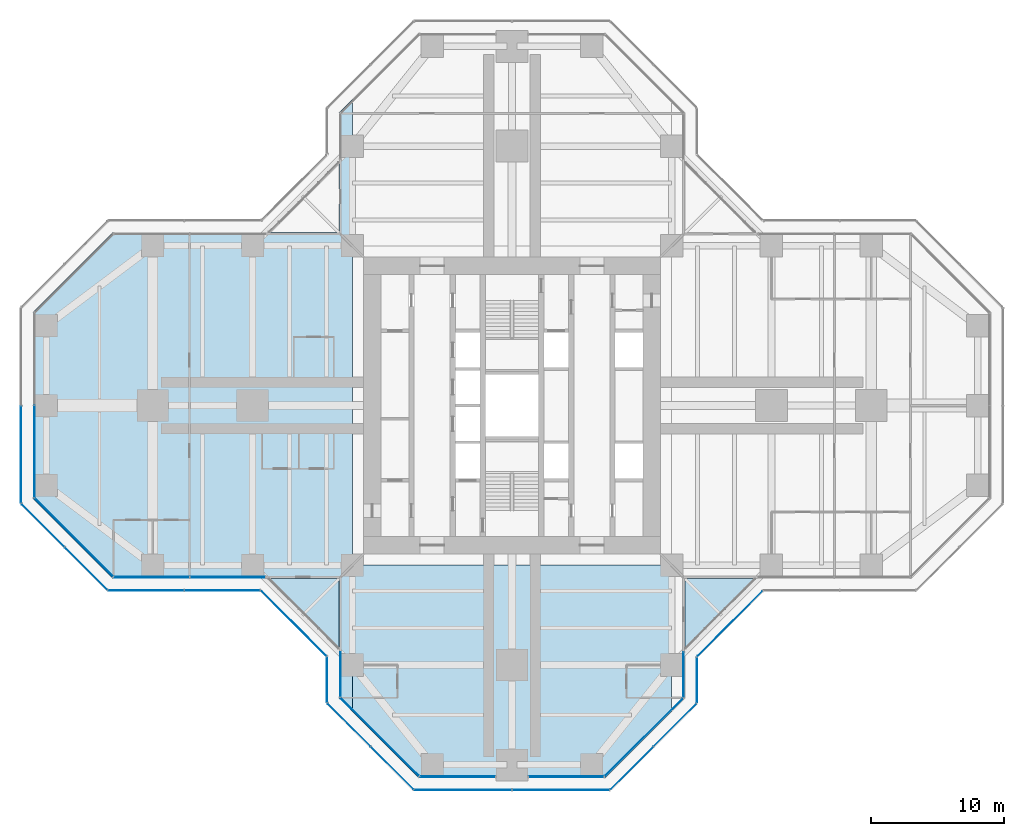
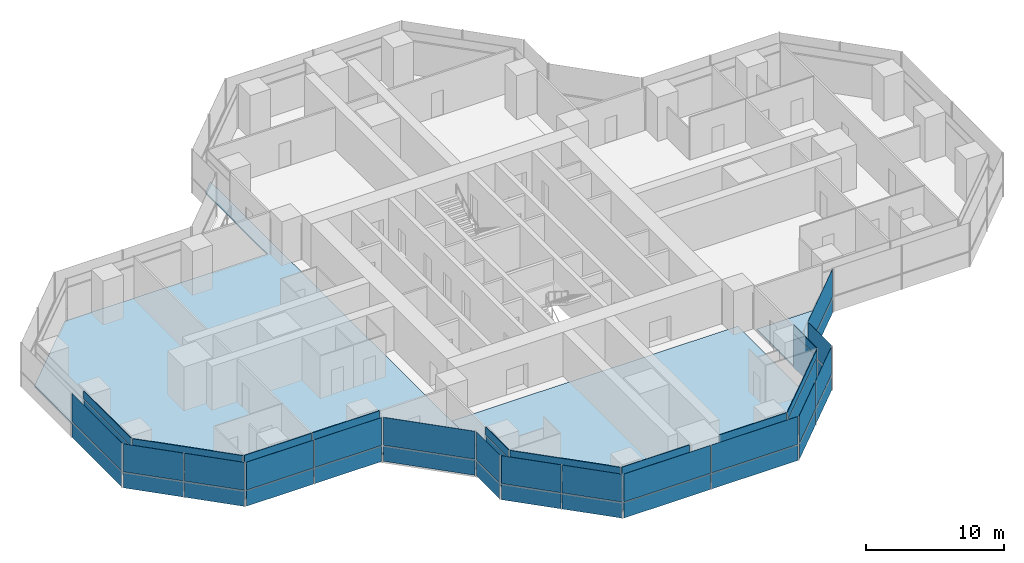
# One storey, part 12 of 20: 50 plates, 4 slabs, 19 elements without a shape of their own.
"""IFC4 building model written with IfcOpenShell, lengths in metres."""

import ifcopenshell
import ifcopenshell.guid

model = None  # the IFC model being written
_history = None  # IfcOwnerHistory: only IFC2X3 demands one
_inside = {}  # id of a spatial element -> (the spatial element, [elements in it])
_under = {}  # id of a project, library or spatial element -> (it, [spatial elements below it])
_declared = {}  # id of a project -> (the project, [libraries it declares])
_typed = {}  # id of a type object -> (the type object, [elements of that type])
_made_of = {}  # id of a material, layer set ... -> (it, [elements and type objects made of it])


def new_model(schema):
    """Start an empty IFC model of exactly this schema.

    Asked for "IFC4X3", IfcOpenShell would pick the latest addendum, in which some entities
    have other attributes; the version numbers below select the first issue.
    IFC2X3 requires an IfcOwnerHistory on every rooted entity: one is made here for all.
    """
    global model, _history
    if schema == "IFC4X3":
        model = ifcopenshell.file(schema_version=(4, 3, 0, 0))
    else:
        model = ifcopenshell.file(schema=schema)
    _inside.clear()
    _under.clear()
    _declared.clear()
    _typed.clear()
    _made_of.clear()
    _history = None
    if model.schema == "IFC2X3":
        org = make("IfcOrganization", Name="unknown")
        user = make(
            "IfcPersonAndOrganization",
            ThePerson=make("IfcPerson", FamilyName="unknown"),
            TheOrganization=org,
        )
        app = make(
            "IfcApplication",
            ApplicationDeveloper=org,
            Version="unknown",
            ApplicationFullName="unknown",
            ApplicationIdentifier="unknown",
        )
        _history = make(
            "IfcOwnerHistory",
            OwningUser=user,
            OwningApplication=app,
            ChangeAction="ADDED",
            CreationDate=0,
        )
    return model


def make(cls, **values):
    """One entity of the class cls with the attributes given. An attribute that is None is left unset."""
    return model.create_entity(
        cls, **{name: value for name, value in values.items() if value is not None}
    )


def rooted(cls, **values):
    """An entity with a GlobalId (a new one), such as an element, a storey or a relation."""
    return make(cls, GlobalId=ifcopenshell.guid.new(), OwnerHistory=_history, **values)


def si_unit(unit_type, name, prefix=None):
    """IfcSIUnit, for example si_unit("LENGTHUNIT", "METRE", prefix="MILLI")."""
    return make("IfcSIUnit", UnitType=unit_type, Prefix=prefix, Name=name)


def assignment(units):
    """IfcUnitAssignment: the units of a project."""
    return None if units is None else make("IfcUnitAssignment", Units=units)


def point(xyz):
    """IfcCartesianPoint."""
    return None if xyz is None else make("IfcCartesianPoint", Coordinates=xyz)


def direction(xyz):
    """IfcDirection."""
    return None if xyz is None else make("IfcDirection", DirectionRatios=xyz)


def frame(location, z_axis=None, x_axis=None):
    """IfcAxis2Placement3D, a coordinate frame: its origin and axes. An axis left out is left unset."""
    return make(
        "IfcAxis2Placement3D",
        Location=point(location),
        Axis=direction(z_axis),
        RefDirection=direction(x_axis),
    )


def frame_2d(location, x_axis=None):
    """IfcAxis2Placement2D, a coordinate frame in the plane: its origin and x axis."""
    return make(
        "IfcAxis2Placement2D", Location=point(location), RefDirection=direction(x_axis)
    )


def origin():
    """The frame at (0, 0, 0) with its axes left unset."""
    return frame((0.0, 0.0, 0.0))


def origin_2d():
    """The frame at (0, 0) in the plane with its x axis left unset."""
    return frame_2d((0.0, 0.0))


def place(relative_to, where):
    """IfcLocalPlacement: puts the frame where relative to a parent placement (None: the world)."""
    return make(
        "IfcLocalPlacement", PlacementRelTo=relative_to, RelativePlacement=where
    )


def context(
    kind, dimensions, precision=None, world=None, true_north=None, identifier=None
):
    """IfcGeometricRepresentationContext, for example the 3D "Model" context."""
    return make(
        "IfcGeometricRepresentationContext",
        ContextIdentifier=identifier,
        ContextType=kind,
        CoordinateSpaceDimension=dimensions,
        Precision=precision,
        WorldCoordinateSystem=world,
        TrueNorth=true_north,
    )


def subcontext(parent, identifier, kind, view, scale=None):
    """IfcGeometricRepresentationSubContext, for example "Body" below "Model"."""
    return make(
        "IfcGeometricRepresentationSubContext",
        ContextIdentifier=identifier,
        ContextType=kind,
        ParentContext=parent,
        TargetScale=scale,
        TargetView=view,
    )


def project(units=None, contexts=None):
    """IfcProject with its units and contexts."""
    return rooted(
        "IfcProject",
        Name="project",
        RepresentationContexts=contexts,
        UnitsInContext=assignment(units),
    )


def spatial(cls, under=None, at=None, **own):
    """A site, building, storey or space (cls), placed at a placement, below another one or the project."""
    s = rooted(cls, ObjectPlacement=at, **own)
    if under is not None:
        _under.setdefault(under.id(), (under, []))[1].append(s)
    return s


def polyline(points):
    """IfcPolyline through the points."""
    return make("IfcPolyline", Points=[point(p) for p in points])


def profile(cls, at=None, kind="AREA", **sizes):
    """A parametric profile (cls). Its sizes go by their IFC names, for example OverallWidth=200.0."""
    return make(cls, ProfileType=kind, Position=at, **sizes)


def rectangle(**sizes):
    """IfcRectangleProfileDef."""
    return profile("IfcRectangleProfileDef", **sizes)


def outline(outer, holes=None, kind="AREA"):
    """IfcArbitraryClosedProfileDef: a profile drawn as a closed curve; with holes, ...WithVoids."""
    if holes is None:
        return make("IfcArbitraryClosedProfileDef", ProfileType=kind, OuterCurve=outer)
    return make(
        "IfcArbitraryProfileDefWithVoids",
        ProfileType=kind,
        OuterCurve=outer,
        InnerCurves=holes,
    )


def extrude(swept, where, along, depth):
    """IfcExtrudedAreaSolid: the profile swept, set in the frame where, extruded along a direction by depth."""
    return make(
        "IfcExtrudedAreaSolid",
        SweptArea=swept,
        Position=where,
        ExtrudedDirection=direction(along),
        Depth=depth,
    )


def shape(context_of_items, identifier, shape_type, items):
    """IfcShapeRepresentation: the items that make up one representation, for example the "Body"."""
    return make(
        "IfcShapeRepresentation",
        ContextOfItems=context_of_items,
        RepresentationIdentifier=identifier,
        RepresentationType=shape_type,
        Items=items,
    )


def material(Name=None, Category=None):
    """IfcMaterial."""
    return make("IfcMaterial", Name=Name, Category=Category)


def layer(
    of_material, thickness, ventilated=None, Name=None, Category=None, Priority=None
):
    """IfcMaterialLayer: one layer of a wall or slab, of a material (None: an air gap)."""
    return make(
        "IfcMaterialLayer",
        Material=of_material,
        LayerThickness=thickness,
        IsVentilated=ventilated,
        Name=Name,
        Category=Category,
        Priority=Priority,
    )


def layer_set(layers, Name=None):
    """IfcMaterialLayerSet."""
    return make("IfcMaterialLayerSet", MaterialLayers=layers, LayerSetName=Name)


def made_of(thing, what):
    """Note that an element or type object is made of a material, layer set ...; save() writes the relation."""
    if what is not None:
        _made_of.setdefault(what.id(), (what, []))[1].append(thing)
    return thing


def type_object(cls, material=None, **own):
    """A type object (cls), such as IfcWallType, which elements share."""
    return made_of(rooted(cls, **own), material)


def element(
    cls,
    number,
    at=None,
    inside=None,
    cuts=None,
    type_object=None,
    material=None,
    context=None,
    identifier="Body",
    shape_type=None,
    held_by="IfcProductDefinitionShape",
    body=None,
    shapes=None,
    **own,
):
    """One element of the class cls, such as IfcWall. Its Tag is "e" and its number.

    at: its placement. inside: the storey or other place that contains it. cuts: it is an
    opening in that element (IfcRelVoidsElement). A single representation is given by context,
    identifier, shape_type and body (its items); several are given by shapes. held_by: the class
    of the entity that holds the representations. save() writes the other relations.
    """
    e = rooted(cls, Tag="e%d" % number, ObjectPlacement=at, **own)
    if body is not None:
        shapes = [shape(context, identifier, shape_type, body)]
    if shapes is not None:
        e.Representation = make(held_by, Representations=shapes)
    if inside is not None:
        _inside.setdefault(inside.id(), (inside, []))[1].append(e)
    if cuts is not None:
        rooted(
            "IfcRelVoidsElement", RelatingBuildingElement=cuts, RelatedOpeningElement=e
        )
    if type_object is not None:
        _typed.setdefault(type_object.id(), (type_object, []))[1].append(e)
    return made_of(e, material)


def aggregate(whole, parts):
    """IfcRelAggregates: a whole, such as a stair, and the parts it consists of."""
    return rooted("IfcRelAggregates", RelatingObject=whole, RelatedObjects=parts)


def save(model, path):
    """Write the relations noted so far, then the file.

    IfcRelAggregates (storeys below a building ...), IfcRelContainedInSpatialStructure (elements
    in a storey), IfcRelDefinesByType, IfcRelAssociatesMaterial and IfcRelDeclares: one each for
    every whole, place, type object, material and project.
    """
    for whole, parts in _under.values():
        aggregate(whole, parts)
    for where, things in _inside.values():
        rooted(
            "IfcRelContainedInSpatialStructure",
            RelatedElements=things,
            RelatingStructure=where,
        )
    for kind, things in _typed.values():
        rooted("IfcRelDefinesByType", RelatedObjects=things, RelatingType=kind)
    for what, things in _made_of.values():
        rooted("IfcRelAssociatesMaterial", RelatedObjects=things, RelatingMaterial=what)
    for by, libraries in _declared.values():
        rooted("IfcRelDeclares", RelatingContext=by, RelatedDefinitions=libraries)
    model.write(path)


model = new_model("IFC4")

# Units and contexts
model_context = context("Model", 3, precision=1e-05, world=origin(), true_north=direction((0.0, 1.0)))
body_context = subcontext(model_context, "Body", "Model", "MODEL_VIEW")
ifc_project = project(units=[si_unit("LENGTHUNIT", "METRE"), si_unit("AREAUNIT", "SQUARE_METRE"), si_unit("VOLUMEUNIT", "CUBIC_METRE"), si_unit("PLANEANGLEUNIT", "RADIAN"), si_unit("MASSUNIT", "GRAM", prefix="KILO")], contexts=[model_context])

# Site, building, storey
site_placement = place(None, origin())
site = spatial("IfcSite", under=ifc_project, at=site_placement, CompositionType="ELEMENT")
building_placement = place(site_placement, origin())
building = spatial("IfcBuilding", under=site, at=building_placement, Name="Mizan Broadcast Tower", CompositionType="ELEMENT")
storey_placement = place(building_placement, frame((0.0, 0.0, 143.699951171875)))
storey = spatial("IfcBuildingStorey", under=building, at=storey_placement, Name="L32", CompositionType="ELEMENT", Elevation=143.699951171875)

# Slabs
ifc_material_1 = material(Name="Concrete C32/40", Category="concrete")
ifc_layer_1 = layer(ifc_material_1, 0.1298828125)
ifc_layer_set_1 = layer_set([ifc_layer_1], Name="Concrete C32/40")
slab_type_1 = type_object("IfcSlabType", Name="COMPOSITE DECK SLAB 130", PredefinedType="FLOOR", material=ifc_layer_set_1)
slab_1_placement = place(storey_placement, frame((0.0, 0.0, -0.1298828125)))
element("IfcSlab", 1, at=slab_1_placement, inside=storey, type_object=slab_type_1, Name="Floor slab L32 west arm", PredefinedType="FLOOR", context=body_context, shape_type="SweptSolid", body=[
    extrude(outline(polyline([(-13.0, -22.0), (-12.0, -23.0), (-12.0, 23.0), (-13.0, 22.0), (-13.0, 13.0), (-30.0, 13.0), (-36.0, 7.0), (-36.0, -7.0), (-30.0, -13.0), (-13.0, -13.0), (-13.0, -22.0)])), origin(), (0.0, 0.0, 1.0), 0.1298828125),
])
slab_2_placement = place(storey_placement, frame((0.0, 0.0, -0.1298828125)))
element("IfcSlab", 2, at=slab_2_placement, inside=storey, type_object=slab_type_1, Name="Floor slab L32 south arm", PredefinedType="FLOOR", context=body_context, shape_type="SweptSolid", body=[
    extrude(outline(polyline([(7.0, -28.0), (12.0, -23.0), (12.0, -12.0), (-12.0, -12.0), (-12.0, -23.0), (-7.0, -28.0), (7.0, -28.0)])), origin(), (0.0, 0.0, 1.0), 0.1298828125),
])

# Curtain wall, plate
ifc_material_2 = material(Name="Aluminium framed glazing", Category="aluminium")
curtain_wall_type_1 = type_object("IfcCurtainWallType", Name="INNER SKIN MID ZONE", PredefinedType="USERDEFINED", material=ifc_material_2)
curtain_wall_1_placement = place(storey_placement, origin())
curtain_wall_1 = element("IfcCurtainWall", 3, at=curtain_wall_1_placement, inside=storey, type_object=curtain_wall_type_1, Name="Inner skin mid zone L32 W end", ObjectType="INNER SKIN MID ZONE", PredefinedType="USERDEFINED")
ifc_material_3 = material(Name="Double glazing, clear low-e", Category="glass")
ifc_layer_2 = layer(ifc_material_3, 0.028076171875)
ifc_layer_set_2 = layer_set([ifc_layer_2], Name="Double glazing, clear low-e")
plate_type_1 = type_object("IfcPlateType", Name="INNER SKIN GLAZING UNIT", PredefinedType="CURTAIN_PANEL", material=ifc_layer_set_2)
plate_1_placement = place(storey_placement, frame((-35.89990234375, -3.46435546875, 0.0), z_axis=(0.0, 0.0, 1.0), x_axis=(0.0, -1.0, 0.0)))
plate_1 = element("IfcPlate", 4, at=plate_1_placement, type_object=plate_type_1, Name="Inner skin mid zone L32 W end panel 2.1", PredefinedType="CURTAIN_PANEL", context=body_context, shape_type="SweptSolid", body=[
    extrude(rectangle(XDim=6.86865234375, YDim=0.028076171875, at=origin_2d()), origin(), (0.0, 0.0, 1.0), 3.0),
])

curtain_wall_2_placement = place(storey_placement, origin())
curtain_wall_2 = element("IfcCurtainWall", 5, at=curtain_wall_2_placement, inside=storey, type_object=curtain_wall_type_1, Name="Inner skin mid zone L32 W chamfer", ObjectType="INNER SKIN MID ZONE", PredefinedType="USERDEFINED")
plate_2_placement = place(storey_placement, frame((-32.92919921875, -9.92919921875, 0.0), z_axis=(0.0, 0.0, 1.0), x_axis=(0.707106781187, -0.707106781187, 0.0)))
plate_2 = element("IfcPlate", 6, at=plate_2_placement, type_object=plate_type_1, Name="Inner skin mid zone L32 W chamfer panel 1.1", PredefinedType="CURTAIN_PANEL", context=body_context, shape_type="SweptSolid", body=[
    extrude(rectangle(XDim=8.282470703125, YDim=0.028076171875, at=origin_2d()), origin(), (0.0, 0.0, 1.0), 3.0),
])

# Curtain wall, plates
curtain_wall_3_placement = place(storey_placement, origin())
curtain_wall_3 = element("IfcCurtainWall", 7, at=curtain_wall_3_placement, inside=storey, type_object=curtain_wall_type_1, Name="Inner skin mid zone L32 W side", ObjectType="INNER SKIN MID ZONE", PredefinedType="USERDEFINED")
plate_3_placement = place(storey_placement, frame((-27.078857421875, -12.89990234375, 0.0), z_axis=(0.0, 0.0, 1.0), x_axis=(1.0, 0.0, 0.0)))
plate_3 = element("IfcPlate", 8, at=plate_3_placement, type_object=plate_type_1, Name="Inner skin mid zone L32 W side panel 1.1", PredefinedType="CURTAIN_PANEL", context=body_context, shape_type="SweptSolid", body=[
    extrude(rectangle(XDim=5.639404296875, YDim=0.028076171875, at=origin_2d()), origin(), (0.0, 0.0, 1.0), 3.0),
])
plate_4_placement = place(storey_placement, frame((-21.379638671875, -12.89990234375, 0.0), z_axis=(0.0, 0.0, 1.0), x_axis=(1.0, 0.0, 0.0)))
plate_4 = element("IfcPlate", 9, at=plate_4_placement, type_object=plate_type_1, Name="Inner skin mid zone L32 W side panel 2.1", PredefinedType="CURTAIN_PANEL", context=body_context, shape_type="SweptSolid", body=[
    extrude(rectangle(XDim=5.639404296875, YDim=0.028076171875, at=origin_2d()), origin(), (0.0, 0.0, 1.0), 3.0),
])

# Curtain wall, plate
curtain_wall_4_placement = place(storey_placement, origin())
curtain_wall_4 = element("IfcCurtainWall", 10, at=curtain_wall_4_placement, inside=storey, type_object=curtain_wall_type_1, Name="Inner skin mid zone L32 S side", ObjectType="INNER SKIN MID ZONE", PredefinedType="USERDEFINED")
plate_5_placement = place(storey_placement, frame((-12.89990234375, -20.229248046875, 0.0), z_axis=(0.0, 0.0, 1.0), x_axis=(0.0, -1.0, 0.0)))
plate_5 = element("IfcPlate", 11, at=plate_5_placement, type_object=plate_type_1, Name="Inner skin mid zone L32 S side panel 1.1", PredefinedType="CURTAIN_PANEL", context=body_context, shape_type="SweptSolid", body=[
    extrude(rectangle(XDim=3.338623046875, YDim=0.028076171875, at=origin_2d()), origin(), (0.0, 0.0, 1.0), 3.0),
])

curtain_wall_5_placement = place(storey_placement, origin())
curtain_wall_5 = element("IfcCurtainWall", 12, at=curtain_wall_5_placement, inside=storey, type_object=curtain_wall_type_1, Name="Inner skin mid zone L32 S chamfer", ObjectType="INNER SKIN MID ZONE", PredefinedType="USERDEFINED")
plate_6_placement = place(storey_placement, frame((-9.92919921875, -24.92919921875, 0.0), z_axis=(0.0, 0.0, 1.0), x_axis=(0.707106781187, -0.707106781187, 0.0)))
plate_6 = element("IfcPlate", 13, at=plate_6_placement, type_object=plate_type_1, Name="Inner skin mid zone L32 S chamfer panel 1.1", PredefinedType="CURTAIN_PANEL", context=body_context, shape_type="SweptSolid", body=[
    extrude(rectangle(XDim=8.282470703125, YDim=0.028076171875, at=origin_2d()), origin(), (0.0, 0.0, 1.0), 3.0),
])

curtain_wall_6_placement = place(storey_placement, origin())
curtain_wall_6 = element("IfcCurtainWall", 14, at=curtain_wall_6_placement, inside=storey, type_object=curtain_wall_type_1, Name="Inner skin mid zone L32 S end", ObjectType="INNER SKIN MID ZONE", PredefinedType="USERDEFINED")
plate_7_placement = place(storey_placement, frame((-4.079345703125, -27.89990234375, 0.0), z_axis=(0.0, 0.0, 1.0), x_axis=(1.0, 0.0, 0.0)))
plate_7 = element("IfcPlate", 15, at=plate_7_placement, type_object=plate_type_1, Name="Inner skin mid zone L32 S end panel 1.1", PredefinedType="CURTAIN_PANEL", context=body_context, shape_type="SweptSolid", body=[
    extrude(rectangle(XDim=5.638671875, YDim=0.028076171875, at=origin_2d()), origin(), (0.0, 0.0, 1.0), 3.0),
])

curtain_wall_7_placement = place(storey_placement, origin())
curtain_wall_7 = element("IfcCurtainWall", 16, at=curtain_wall_7_placement, inside=storey, type_object=curtain_wall_type_1, Name="Inner skin mid zone L32 S end", ObjectType="INNER SKIN MID ZONE", PredefinedType="USERDEFINED")
plate_8_placement = place(storey_placement, frame((4.079345703125, -27.89990234375, 0.0), z_axis=(0.0, 0.0, 1.0), x_axis=(1.0, 0.0, 0.0)))
plate_8 = element("IfcPlate", 17, at=plate_8_placement, type_object=plate_type_1, Name="Inner skin mid zone L32 S end panel 1.1", PredefinedType="CURTAIN_PANEL", context=body_context, shape_type="SweptSolid", body=[
    extrude(rectangle(XDim=5.638671875, YDim=0.028076171875, at=origin_2d()), origin(), (0.0, 0.0, 1.0), 3.0),
])

curtain_wall_8_placement = place(storey_placement, origin())
curtain_wall_8 = element("IfcCurtainWall", 18, at=curtain_wall_8_placement, inside=storey, type_object=curtain_wall_type_1, Name="Inner skin mid zone L32 S chamfer", ObjectType="INNER SKIN MID ZONE", PredefinedType="USERDEFINED")
plate_9_placement = place(storey_placement, frame((9.92919921875, -24.92919921875, 0.0), z_axis=(0.0, 0.0, 1.0), x_axis=(0.707106781187, 0.707106781187, 0.0)))
plate_9 = element("IfcPlate", 19, at=plate_9_placement, type_object=plate_type_1, Name="Inner skin mid zone L32 S chamfer panel 1.1", PredefinedType="CURTAIN_PANEL", context=body_context, shape_type="SweptSolid", body=[
    extrude(rectangle(XDim=8.282470703125, YDim=0.028076171875, at=origin_2d()), origin(), (0.0, 0.0, 1.0), 3.0),
])

curtain_wall_9_placement = place(storey_placement, origin())
curtain_wall_9 = element("IfcCurtainWall", 20, at=curtain_wall_9_placement, inside=storey, type_object=curtain_wall_type_1, Name="Inner skin mid zone L32 S side", ObjectType="INNER SKIN MID ZONE", PredefinedType="USERDEFINED")
plate_10_placement = place(storey_placement, frame((12.89990234375, -20.229248046875, 0.0), z_axis=(0.0, 0.0, 1.0), x_axis=(0.0, 1.0, 0.0)))
plate_10 = element("IfcPlate", 21, at=plate_10_placement, type_object=plate_type_1, Name="Inner skin mid zone L32 S side panel 1.1", PredefinedType="CURTAIN_PANEL", context=body_context, shape_type="SweptSolid", body=[
    extrude(rectangle(XDim=3.338623046875, YDim=0.028076171875, at=origin_2d()), origin(), (0.0, 0.0, 1.0), 3.0),
])

# Plate
ifc_material_4 = material(Name="Insulated aluminium spandrel panel, pale anodised", Category="aluminium")
ifc_layer_3 = layer(ifc_material_4, 0.050048828125)
ifc_layer_set_3 = layer_set([ifc_layer_3], Name="Insulated aluminium spandrel panel, pale anodised")
plate_type_2 = type_object("IfcPlateType", Name="INNER SKIN SPANDREL PANEL", PredefinedType="CURTAIN_PANEL", material=ifc_layer_set_3)
plate_11_placement = place(storey_placement, frame((-35.89990234375, -3.46435546875, 3.06005859375), z_axis=(0.0, 0.0, 1.0), x_axis=(0.0, -1.0, 0.0)))
plate_11 = element("IfcPlate", 22, at=plate_11_placement, type_object=plate_type_2, Name="Inner skin mid zone L32 W end panel 2.2", PredefinedType="CURTAIN_PANEL", context=body_context, shape_type="SweptSolid", body=[
    extrude(rectangle(XDim=6.86865234375, YDim=0.050048828125, at=origin_2d()), origin(), (0.0, 0.0, 1.0), 0.7099609375),
])

aggregate(curtain_wall_1, [plate_1, plate_11])

plate_12_placement = place(storey_placement, frame((-32.92919921875, -9.92919921875, 3.06005859375), z_axis=(0.0, 0.0, 1.0), x_axis=(0.707106781187, -0.707106781187, 0.0)))
plate_12 = element("IfcPlate", 23, at=plate_12_placement, type_object=plate_type_2, Name="Inner skin mid zone L32 W chamfer panel 1.2", PredefinedType="CURTAIN_PANEL", context=body_context, shape_type="SweptSolid", body=[
    extrude(rectangle(XDim=8.282470703125, YDim=0.050048828125, at=origin_2d()), origin(), (0.0, 0.0, 1.0), 0.7099609375),
])

aggregate(curtain_wall_2, [plate_2, plate_12])

plate_13_placement = place(storey_placement, frame((-27.078857421875, -12.89990234375, 3.06005859375), z_axis=(0.0, 0.0, 1.0), x_axis=(1.0, 0.0, 0.0)))
plate_13 = element("IfcPlate", 24, at=plate_13_placement, type_object=plate_type_2, Name="Inner skin mid zone L32 W side panel 1.2", PredefinedType="CURTAIN_PANEL", context=body_context, shape_type="SweptSolid", body=[
    extrude(rectangle(XDim=5.639404296875, YDim=0.050048828125, at=origin_2d()), origin(), (0.0, 0.0, 1.0), 0.7099609375),
])

plate_14_placement = place(storey_placement, frame((-21.379638671875, -12.89990234375, 3.06005859375), z_axis=(0.0, 0.0, 1.0), x_axis=(1.0, 0.0, 0.0)))
plate_14 = element("IfcPlate", 25, at=plate_14_placement, type_object=plate_type_2, Name="Inner skin mid zone L32 W side panel 2.2", PredefinedType="CURTAIN_PANEL", context=body_context, shape_type="SweptSolid", body=[
    extrude(rectangle(XDim=5.639404296875, YDim=0.050048828125, at=origin_2d()), origin(), (0.0, 0.0, 1.0), 0.7099609375),
])

aggregate(curtain_wall_3, [plate_3, plate_13, plate_4, plate_14])

plate_15_placement = place(storey_placement, frame((-12.89990234375, -20.229248046875, 3.06005859375), z_axis=(0.0, 0.0, 1.0), x_axis=(0.0, -1.0, 0.0)))
plate_15 = element("IfcPlate", 26, at=plate_15_placement, type_object=plate_type_2, Name="Inner skin mid zone L32 S side panel 1.2", PredefinedType="CURTAIN_PANEL", context=body_context, shape_type="SweptSolid", body=[
    extrude(rectangle(XDim=3.338623046875, YDim=0.050048828125, at=origin_2d()), origin(), (0.0, 0.0, 1.0), 0.7099609375),
])

aggregate(curtain_wall_4, [plate_5, plate_15])

plate_16_placement = place(storey_placement, frame((-9.92919921875, -24.92919921875, 3.06005859375), z_axis=(0.0, 0.0, 1.0), x_axis=(0.707106781187, -0.707106781187, 0.0)))
plate_16 = element("IfcPlate", 27, at=plate_16_placement, type_object=plate_type_2, Name="Inner skin mid zone L32 S chamfer panel 1.2", PredefinedType="CURTAIN_PANEL", context=body_context, shape_type="SweptSolid", body=[
    extrude(rectangle(XDim=8.282470703125, YDim=0.050048828125, at=origin_2d()), origin(), (0.0, 0.0, 1.0), 0.7099609375),
])

aggregate(curtain_wall_5, [plate_6, plate_16])

plate_17_placement = place(storey_placement, frame((-4.079345703125, -27.89990234375, 3.06005859375), z_axis=(0.0, 0.0, 1.0), x_axis=(1.0, 0.0, 0.0)))
plate_17 = element("IfcPlate", 28, at=plate_17_placement, type_object=plate_type_2, Name="Inner skin mid zone L32 S end panel 1.2", PredefinedType="CURTAIN_PANEL", context=body_context, shape_type="SweptSolid", body=[
    extrude(rectangle(XDim=5.638671875, YDim=0.050048828125, at=origin_2d()), origin(), (0.0, 0.0, 1.0), 0.7099609375),
])

aggregate(curtain_wall_6, [plate_7, plate_17])

plate_18_placement = place(storey_placement, frame((4.079345703125, -27.89990234375, 3.06005859375), z_axis=(0.0, 0.0, 1.0), x_axis=(1.0, 0.0, 0.0)))
plate_18 = element("IfcPlate", 29, at=plate_18_placement, type_object=plate_type_2, Name="Inner skin mid zone L32 S end panel 1.2", PredefinedType="CURTAIN_PANEL", context=body_context, shape_type="SweptSolid", body=[
    extrude(rectangle(XDim=5.638671875, YDim=0.050048828125, at=origin_2d()), origin(), (0.0, 0.0, 1.0), 0.7099609375),
])

aggregate(curtain_wall_7, [plate_8, plate_18])

plate_19_placement = place(storey_placement, frame((9.92919921875, -24.92919921875, 3.06005859375), z_axis=(0.0, 0.0, 1.0), x_axis=(0.707106781187, 0.707106781187, 0.0)))
plate_19 = element("IfcPlate", 30, at=plate_19_placement, type_object=plate_type_2, Name="Inner skin mid zone L32 S chamfer panel 1.2", PredefinedType="CURTAIN_PANEL", context=body_context, shape_type="SweptSolid", body=[
    extrude(rectangle(XDim=8.282470703125, YDim=0.050048828125, at=origin_2d()), origin(), (0.0, 0.0, 1.0), 0.7099609375),
])

aggregate(curtain_wall_8, [plate_9, plate_19])

plate_20_placement = place(storey_placement, frame((12.89990234375, -20.229248046875, 3.06005859375), z_axis=(0.0, 0.0, 1.0), x_axis=(0.0, 1.0, 0.0)))
plate_20 = element("IfcPlate", 31, at=plate_20_placement, type_object=plate_type_2, Name="Inner skin mid zone L32 S side panel 1.2", PredefinedType="CURTAIN_PANEL", context=body_context, shape_type="SweptSolid", body=[
    extrude(rectangle(XDim=3.338623046875, YDim=0.050048828125, at=origin_2d()), origin(), (0.0, 0.0, 1.0), 0.7099609375),
])

aggregate(curtain_wall_9, [plate_10, plate_20])

# Curtain wall, plates
ifc_material_5 = material(Name="Aluminium framed glazing", Category="aluminium")
curtain_wall_type_2 = type_object("IfcCurtainWallType", Name="OUTER SKIN", PredefinedType="USERDEFINED", material=ifc_material_5)
curtain_wall_10_placement = place(storey_placement, origin())
curtain_wall_10 = element("IfcCurtainWall", 32, at=curtain_wall_10_placement, inside=storey, type_object=curtain_wall_type_2, Name="Outer skin L32 W chamfer", ObjectType="OUTER SKIN", PredefinedType="USERDEFINED")
ifc_material_6 = material(Name="Laminated clear glass", Category="glass")
ifc_layer_4 = layer(ifc_material_6, 0.02001953125)
ifc_layer_set_4 = layer_set([ifc_layer_4], Name="Laminated clear glass")
plate_type_3 = type_object("IfcPlateType", Name="OUTER SKIN CLEAR GLASS", PredefinedType="CURTAIN_PANEL", material=ifc_layer_set_4)
plate_21_placement = place(storey_placement, frame((-35.254150390625, -9.018798828125, 0.0), z_axis=(0.0, 0.0, 1.0), x_axis=(0.707106781187, -0.707106781187, 0.0)))
plate_21 = element("IfcPlate", 33, at=plate_21_placement, type_object=plate_type_3, Name="Outer skin L32 W chamfer panel 1.1", PredefinedType="CURTAIN_PANEL", context=body_context, shape_type="SweptSolid", body=[
    extrude(rectangle(XDim=4.495361328125, YDim=0.02001953125, at=origin_2d()), origin(), (0.0, 0.0, 1.0), 1.3701171875),
])
plate_22_placement = place(storey_placement, frame((-35.254150390625, -9.018798828125, 1.43017578125), z_axis=(0.0, 0.0, 1.0), x_axis=(0.707106781187, -0.707106781187, 0.0)))
plate_22 = element("IfcPlate", 34, at=plate_22_placement, type_object=plate_type_3, Name="Outer skin L32 W chamfer panel 1.2", PredefinedType="CURTAIN_PANEL", context=body_context, shape_type="SweptSolid", body=[
    extrude(rectangle(XDim=4.495361328125, YDim=0.02001953125, at=origin_2d()), origin(), (0.0, 0.0, 1.0), 2.469970703125),
])

curtain_wall_11_placement = place(storey_placement, origin())
curtain_wall_11 = element("IfcCurtainWall", 35, at=curtain_wall_11_placement, inside=storey, type_object=curtain_wall_type_2, Name="Outer skin L32 W side", ObjectType="OUTER SKIN", PredefinedType="USERDEFINED")
plate_23_placement = place(storey_placement, frame((-27.477783203125, -13.89990234375, 0.0), z_axis=(0.0, 0.0, 1.0), x_axis=(1.0, 0.0, 0.0)))
plate_23 = element("IfcPlate", 36, at=plate_23_placement, type_object=plate_type_3, Name="Outer skin L32 W side panel 1.1", PredefinedType="CURTAIN_PANEL", context=body_context, shape_type="SweptSolid", body=[
    extrude(rectangle(XDim=5.6298828125, YDim=0.02001953125, at=origin_2d()), origin(), (0.0, 0.0, 1.0), 1.3701171875),
])
plate_24_placement = place(storey_placement, frame((-27.477783203125, -13.89990234375, 1.43017578125), z_axis=(0.0, 0.0, 1.0), x_axis=(1.0, 0.0, 0.0)))
plate_24 = element("IfcPlate", 37, at=plate_24_placement, type_object=plate_type_3, Name="Outer skin L32 W side panel 1.2", PredefinedType="CURTAIN_PANEL", context=body_context, shape_type="SweptSolid", body=[
    extrude(rectangle(XDim=5.6298828125, YDim=0.02001953125, at=origin_2d()), origin(), (0.0, 0.0, 1.0), 2.469970703125),
])

curtain_wall_12_placement = place(storey_placement, origin())
curtain_wall_12 = element("IfcCurtainWall", 38, at=curtain_wall_12_placement, inside=storey, type_object=curtain_wall_type_2, Name="Outer skin L32 W chamfer", ObjectType="OUTER SKIN", PredefinedType="USERDEFINED")
plate_25_placement = place(storey_placement, frame((-16.386474609375, -16.386474609375, 0.0), z_axis=(0.0, 0.0, 1.0), x_axis=(0.707106781187, -0.707106781187, 0.0)))
plate_25 = element("IfcPlate", 39, at=plate_25_placement, type_object=plate_type_3, Name="Outer skin L32 W chamfer panel 1.1", PredefinedType="CURTAIN_PANEL", context=body_context, shape_type="SweptSolid", body=[
    extrude(rectangle(XDim=6.87255859375, YDim=0.02001953125, at=origin_2d()), origin(), (0.0, 0.0, 1.0), 1.3701171875),
])
plate_26_placement = place(storey_placement, frame((-16.386474609375, -16.386474609375, 1.43017578125), z_axis=(0.0, 0.0, 1.0), x_axis=(0.707106781187, -0.707106781187, 0.0)))
plate_26 = element("IfcPlate", 40, at=plate_26_placement, type_object=plate_type_3, Name="Outer skin L32 W chamfer panel 1.2", PredefinedType="CURTAIN_PANEL", context=body_context, shape_type="SweptSolid", body=[
    extrude(rectangle(XDim=6.87255859375, YDim=0.02001953125, at=origin_2d()), origin(), (0.0, 0.0, 1.0), 2.469970703125),
])
aggregate(curtain_wall_12, [plate_25, plate_26])

curtain_wall_13_placement = place(storey_placement, origin())
curtain_wall_13 = element("IfcCurtainWall", 41, at=curtain_wall_13_placement, inside=storey, type_object=curtain_wall_type_2, Name="Outer skin L32 S side", ObjectType="OUTER SKIN", PredefinedType="USERDEFINED")
plate_27_placement = place(storey_placement, frame((-13.89990234375, -20.622802734375, 0.0), z_axis=(0.0, 0.0, 1.0), x_axis=(0.0, -1.0, 0.0)))
plate_27 = element("IfcPlate", 42, at=plate_27_placement, type_object=plate_type_3, Name="Outer skin L32 S side panel 1.1", PredefinedType="CURTAIN_PANEL", context=body_context, shape_type="SweptSolid", body=[
    extrude(rectangle(XDim=3.340087890625, YDim=0.02001953125, at=origin_2d()), origin(), (0.0, 0.0, 1.0), 1.3701171875),
])
plate_28_placement = place(storey_placement, frame((-13.89990234375, -20.622802734375, 1.43017578125), z_axis=(0.0, 0.0, 1.0), x_axis=(0.0, -1.0, 0.0)))
plate_28 = element("IfcPlate", 43, at=plate_28_placement, type_object=plate_type_3, Name="Outer skin L32 S side panel 1.2", PredefinedType="CURTAIN_PANEL", context=body_context, shape_type="SweptSolid", body=[
    extrude(rectangle(XDim=3.340087890625, YDim=0.02001953125, at=origin_2d()), origin(), (0.0, 0.0, 1.0), 2.469970703125),
])
aggregate(curtain_wall_13, [plate_27, plate_28])

curtain_wall_14_placement = place(storey_placement, origin())
curtain_wall_14 = element("IfcCurtainWall", 44, at=curtain_wall_14_placement, inside=storey, type_object=curtain_wall_type_2, Name="Outer skin L32 S chamfer", ObjectType="OUTER SKIN", PredefinedType="USERDEFINED")
plate_29_placement = place(storey_placement, frame((-12.254150390625, -24.018798828125, 0.0), z_axis=(0.0, 0.0, 1.0), x_axis=(0.707106781187, -0.707106781187, 0.0)))
plate_29 = element("IfcPlate", 45, at=plate_29_placement, type_object=plate_type_3, Name="Outer skin L32 S chamfer panel 1.1", PredefinedType="CURTAIN_PANEL", context=body_context, shape_type="SweptSolid", body=[
    extrude(rectangle(XDim=4.495361328125, YDim=0.02001953125, at=origin_2d()), origin(), (0.0, 0.0, 1.0), 1.3701171875),
])
plate_30_placement = place(storey_placement, frame((-12.254150390625, -24.018798828125, 1.43017578125), z_axis=(0.0, 0.0, 1.0), x_axis=(0.707106781187, -0.707106781187, 0.0)))
plate_30 = element("IfcPlate", 46, at=plate_30_placement, type_object=plate_type_3, Name="Outer skin L32 S chamfer panel 1.2", PredefinedType="CURTAIN_PANEL", context=body_context, shape_type="SweptSolid", body=[
    extrude(rectangle(XDim=4.495361328125, YDim=0.02001953125, at=origin_2d()), origin(), (0.0, 0.0, 1.0), 2.469970703125),
])

curtain_wall_15_placement = place(storey_placement, origin())
curtain_wall_15 = element("IfcCurtainWall", 47, at=curtain_wall_15_placement, inside=storey, type_object=curtain_wall_type_2, Name="Outer skin L32 S end", ObjectType="OUTER SKIN", PredefinedType="USERDEFINED")
plate_31_placement = place(storey_placement, frame((-3.66650390625, -28.89990234375, 0.0), z_axis=(0.0, 0.0, 1.0), x_axis=(1.0, 0.0, 0.0)))
plate_31 = element("IfcPlate", 48, at=plate_31_placement, type_object=plate_type_3, Name="Outer skin L32 S end panel 1.1", PredefinedType="CURTAIN_PANEL", context=body_context, shape_type="SweptSolid", body=[
    extrude(rectangle(XDim=7.252685546875, YDim=0.02001953125, at=origin_2d()), origin(), (0.0, 0.0, 1.0), 1.3701171875),
])
plate_32_placement = place(storey_placement, frame((-3.66650390625, -28.89990234375, 1.43017578125), z_axis=(0.0, 0.0, 1.0), x_axis=(1.0, 0.0, 0.0)))
plate_32 = element("IfcPlate", 49, at=plate_32_placement, type_object=plate_type_3, Name="Outer skin L32 S end panel 1.2", PredefinedType="CURTAIN_PANEL", context=body_context, shape_type="SweptSolid", body=[
    extrude(rectangle(XDim=7.252685546875, YDim=0.02001953125, at=origin_2d()), origin(), (0.0, 0.0, 1.0), 2.469970703125),
])

curtain_wall_16_placement = place(storey_placement, origin())
curtain_wall_16 = element("IfcCurtainWall", 50, at=curtain_wall_16_placement, inside=storey, type_object=curtain_wall_type_2, Name="Outer skin L32 S chamfer", ObjectType="OUTER SKIN", PredefinedType="USERDEFINED")
plate_33_placement = place(storey_placement, frame((9.018798828125, -27.254150390625, 0.0), z_axis=(0.0, 0.0, 1.0), x_axis=(0.707106781187, 0.707106781187, 0.0)))
plate_33 = element("IfcPlate", 51, at=plate_33_placement, type_object=plate_type_3, Name="Outer skin L32 S chamfer panel 1.1", PredefinedType="CURTAIN_PANEL", context=body_context, shape_type="SweptSolid", body=[
    extrude(rectangle(XDim=4.495361328125, YDim=0.02001953125, at=origin_2d()), origin(), (0.0, 0.0, 1.0), 1.3701171875),
])
plate_34_placement = place(storey_placement, frame((9.018798828125, -27.254150390625, 1.43017578125), z_axis=(0.0, 0.0, 1.0), x_axis=(0.707106781187, 0.707106781187, 0.0)))
plate_34 = element("IfcPlate", 52, at=plate_34_placement, type_object=plate_type_3, Name="Outer skin L32 S chamfer panel 1.2", PredefinedType="CURTAIN_PANEL", context=body_context, shape_type="SweptSolid", body=[
    extrude(rectangle(XDim=4.495361328125, YDim=0.02001953125, at=origin_2d()), origin(), (0.0, 0.0, 1.0), 2.469970703125),
])

curtain_wall_17_placement = place(storey_placement, origin())
curtain_wall_17 = element("IfcCurtainWall", 53, at=curtain_wall_17_placement, inside=storey, type_object=curtain_wall_type_2, Name="Outer skin L32 S side", ObjectType="OUTER SKIN", PredefinedType="USERDEFINED")
plate_35_placement = place(storey_placement, frame((13.89990234375, -20.622802734375, 0.0), z_axis=(0.0, 0.0, 1.0), x_axis=(0.0, 1.0, 0.0)))
plate_35 = element("IfcPlate", 54, at=plate_35_placement, type_object=plate_type_3, Name="Outer skin L32 S side panel 1.1", PredefinedType="CURTAIN_PANEL", context=body_context, shape_type="SweptSolid", body=[
    extrude(rectangle(XDim=3.340087890625, YDim=0.02001953125, at=origin_2d()), origin(), (0.0, 0.0, 1.0), 1.3701171875),
])
plate_36_placement = place(storey_placement, frame((13.89990234375, -20.622802734375, 1.43017578125), z_axis=(0.0, 0.0, 1.0), x_axis=(0.0, 1.0, 0.0)))
plate_36 = element("IfcPlate", 55, at=plate_36_placement, type_object=plate_type_3, Name="Outer skin L32 S side panel 1.2", PredefinedType="CURTAIN_PANEL", context=body_context, shape_type="SweptSolid", body=[
    extrude(rectangle(XDim=3.340087890625, YDim=0.02001953125, at=origin_2d()), origin(), (0.0, 0.0, 1.0), 2.469970703125),
])
aggregate(curtain_wall_17, [plate_35, plate_36])

curtain_wall_18_placement = place(storey_placement, origin())
curtain_wall_18 = element("IfcCurtainWall", 56, at=curtain_wall_18_placement, inside=storey, type_object=curtain_wall_type_2, Name="Outer skin L32 E chamfer", ObjectType="OUTER SKIN", PredefinedType="USERDEFINED")
plate_37_placement = place(storey_placement, frame((16.386474609375, -16.386474609375, 0.0), z_axis=(0.0, 0.0, 1.0), x_axis=(0.707106781187, 0.707106781187, 0.0)))
plate_37 = element("IfcPlate", 57, at=plate_37_placement, type_object=plate_type_3, Name="Outer skin L32 E chamfer panel 1.1", PredefinedType="CURTAIN_PANEL", context=body_context, shape_type="SweptSolid", body=[
    extrude(rectangle(XDim=6.87255859375, YDim=0.02001953125, at=origin_2d()), origin(), (0.0, 0.0, 1.0), 1.3701171875),
])
plate_38_placement = place(storey_placement, frame((16.386474609375, -16.386474609375, 1.43017578125), z_axis=(0.0, 0.0, 1.0), x_axis=(0.707106781187, 0.707106781187, 0.0)))
plate_38 = element("IfcPlate", 58, at=plate_38_placement, type_object=plate_type_3, Name="Outer skin L32 E chamfer panel 1.2", PredefinedType="CURTAIN_PANEL", context=body_context, shape_type="SweptSolid", body=[
    extrude(rectangle(XDim=6.87255859375, YDim=0.02001953125, at=origin_2d()), origin(), (0.0, 0.0, 1.0), 2.469970703125),
])
aggregate(curtain_wall_18, [plate_37, plate_38])

curtain_wall_19_placement = place(storey_placement, origin())
curtain_wall_19 = element("IfcCurtainWall", 59, at=curtain_wall_19_placement, inside=storey, type_object=curtain_wall_type_2, Name="Outer skin L32 W end", ObjectType="OUTER SKIN", PredefinedType="USERDEFINED")
ifc_material_7 = material(Name="Perforated aluminium, pale anodised", Category="aluminium")
ifc_layer_5 = layer(ifc_material_7, 0.011962890625)
ifc_layer_set_5 = layer_set([ifc_layer_5], Name="Perforated aluminium, pale anodised")
plate_type_4 = type_object("IfcPlateType", Name="OUTER SKIN PERFORATED SCREEN", PredefinedType="USERDEFINED", material=ifc_layer_set_5)
plate_39_placement = place(storey_placement, frame((-36.89990234375, -3.66650390625, 0.0), z_axis=(0.0, 0.0, 1.0), x_axis=(0.0, -1.0, 0.0)))
plate_39 = element("IfcPlate", 60, at=plate_39_placement, type_object=plate_type_4, Name="Outer skin L32 W end panel 2.1", ObjectType="SCREEN", PredefinedType="USERDEFINED", context=body_context, shape_type="SweptSolid", body=[
    extrude(rectangle(XDim=7.252685546875, YDim=0.011962890625, at=origin_2d()), origin(), (0.0, 0.0, 1.0), 1.3701171875),
])
plate_40_placement = place(storey_placement, frame((-36.89990234375, -3.66650390625, 1.43017578125), z_axis=(0.0, 0.0, 1.0), x_axis=(0.0, -1.0, 0.0)))
plate_40 = element("IfcPlate", 61, at=plate_40_placement, type_object=plate_type_4, Name="Outer skin L32 W end panel 2.2", ObjectType="SCREEN", PredefinedType="USERDEFINED", context=body_context, shape_type="SweptSolid", body=[
    extrude(rectangle(XDim=7.252685546875, YDim=0.011962890625, at=origin_2d()), origin(), (0.0, 0.0, 1.0), 2.469970703125),
])
aggregate(curtain_wall_19, [plate_39, plate_40])

# Plate
plate_41_placement = place(storey_placement, frame((-32.018798828125, -12.254150390625, 0.0), z_axis=(0.0, 0.0, 1.0), x_axis=(0.707106781187, -0.707106781187, 0.0)))
plate_41 = element("IfcPlate", 62, at=plate_41_placement, type_object=plate_type_4, Name="Outer skin L32 W chamfer panel 2.1", ObjectType="SCREEN", PredefinedType="USERDEFINED", context=body_context, shape_type="SweptSolid", body=[
    extrude(rectangle(XDim=4.495361328125, YDim=0.011962890625, at=origin_2d()), origin(), (0.0, 0.0, 1.0), 1.3701171875),
])

plate_42_placement = place(storey_placement, frame((-32.018798828125, -12.254150390625, 1.43017578125), z_axis=(0.0, 0.0, 1.0), x_axis=(0.707106781187, -0.707106781187, 0.0)))
plate_42 = element("IfcPlate", 63, at=plate_42_placement, type_object=plate_type_4, Name="Outer skin L32 W chamfer panel 2.2", ObjectType="SCREEN", PredefinedType="USERDEFINED", context=body_context, shape_type="SweptSolid", body=[
    extrude(rectangle(XDim=4.495361328125, YDim=0.011962890625, at=origin_2d()), origin(), (0.0, 0.0, 1.0), 2.469970703125),
])

aggregate(curtain_wall_10, [plate_21, plate_22, plate_41, plate_42])

plate_43_placement = place(storey_placement, frame((-21.767822265625, -13.89990234375, 0.0), z_axis=(0.0, 0.0, 1.0), x_axis=(1.0, 0.0, 0.0)))
plate_43 = element("IfcPlate", 64, at=plate_43_placement, type_object=plate_type_4, Name="Outer skin L32 W side panel 2.1", ObjectType="SCREEN", PredefinedType="USERDEFINED", context=body_context, shape_type="SweptSolid", body=[
    extrude(rectangle(XDim=5.6298828125, YDim=0.011962890625, at=origin_2d()), origin(), (0.0, 0.0, 1.0), 1.3701171875),
])

plate_44_placement = place(storey_placement, frame((-21.767822265625, -13.89990234375, 1.43017578125), z_axis=(0.0, 0.0, 1.0), x_axis=(1.0, 0.0, 0.0)))
plate_44 = element("IfcPlate", 65, at=plate_44_placement, type_object=plate_type_4, Name="Outer skin L32 W side panel 2.2", ObjectType="SCREEN", PredefinedType="USERDEFINED", context=body_context, shape_type="SweptSolid", body=[
    extrude(rectangle(XDim=5.6298828125, YDim=0.011962890625, at=origin_2d()), origin(), (0.0, 0.0, 1.0), 2.469970703125),
])

aggregate(curtain_wall_11, [plate_23, plate_24, plate_43, plate_44])

plate_45_placement = place(storey_placement, frame((-9.018798828125, -27.254150390625, 0.0), z_axis=(0.0, 0.0, 1.0), x_axis=(0.707106781187, -0.707106781187, 0.0)))
plate_45 = element("IfcPlate", 66, at=plate_45_placement, type_object=plate_type_4, Name="Outer skin L32 S chamfer panel 2.1", ObjectType="SCREEN", PredefinedType="USERDEFINED", context=body_context, shape_type="SweptSolid", body=[
    extrude(rectangle(XDim=4.495361328125, YDim=0.011962890625, at=origin_2d()), origin(), (0.0, 0.0, 1.0), 1.3701171875),
])

plate_46_placement = place(storey_placement, frame((-9.018798828125, -27.254150390625, 1.43017578125), z_axis=(0.0, 0.0, 1.0), x_axis=(0.707106781187, -0.707106781187, 0.0)))
plate_46 = element("IfcPlate", 67, at=plate_46_placement, type_object=plate_type_4, Name="Outer skin L32 S chamfer panel 2.2", ObjectType="SCREEN", PredefinedType="USERDEFINED", context=body_context, shape_type="SweptSolid", body=[
    extrude(rectangle(XDim=4.495361328125, YDim=0.011962890625, at=origin_2d()), origin(), (0.0, 0.0, 1.0), 2.469970703125),
])

aggregate(curtain_wall_14, [plate_29, plate_30, plate_45, plate_46])

plate_47_placement = place(storey_placement, frame((3.66650390625, -28.89990234375, 0.0), z_axis=(0.0, 0.0, 1.0), x_axis=(1.0, 0.0, 0.0)))
plate_47 = element("IfcPlate", 68, at=plate_47_placement, type_object=plate_type_4, Name="Outer skin L32 S end panel 2.1", ObjectType="SCREEN", PredefinedType="USERDEFINED", context=body_context, shape_type="SweptSolid", body=[
    extrude(rectangle(XDim=7.252685546875, YDim=0.011962890625, at=origin_2d()), origin(), (0.0, 0.0, 1.0), 1.3701171875),
])

plate_48_placement = place(storey_placement, frame((3.66650390625, -28.89990234375, 1.43017578125), z_axis=(0.0, 0.0, 1.0), x_axis=(1.0, 0.0, 0.0)))
plate_48 = element("IfcPlate", 69, at=plate_48_placement, type_object=plate_type_4, Name="Outer skin L32 S end panel 2.2", ObjectType="SCREEN", PredefinedType="USERDEFINED", context=body_context, shape_type="SweptSolid", body=[
    extrude(rectangle(XDim=7.252685546875, YDim=0.011962890625, at=origin_2d()), origin(), (0.0, 0.0, 1.0), 2.469970703125),
])

aggregate(curtain_wall_15, [plate_31, plate_32, plate_47, plate_48])

plate_49_placement = place(storey_placement, frame((12.254150390625, -24.018798828125, 0.0), z_axis=(0.0, 0.0, 1.0), x_axis=(0.707106781187, 0.707106781187, 0.0)))
plate_49 = element("IfcPlate", 70, at=plate_49_placement, type_object=plate_type_4, Name="Outer skin L32 S chamfer panel 2.1", ObjectType="SCREEN", PredefinedType="USERDEFINED", context=body_context, shape_type="SweptSolid", body=[
    extrude(rectangle(XDim=4.495361328125, YDim=0.011962890625, at=origin_2d()), origin(), (0.0, 0.0, 1.0), 1.3701171875),
])

plate_50_placement = place(storey_placement, frame((12.254150390625, -24.018798828125, 1.43017578125), z_axis=(0.0, 0.0, 1.0), x_axis=(0.707106781187, 0.707106781187, 0.0)))
plate_50 = element("IfcPlate", 71, at=plate_50_placement, type_object=plate_type_4, Name="Outer skin L32 S chamfer panel 2.2", ObjectType="SCREEN", PredefinedType="USERDEFINED", context=body_context, shape_type="SweptSolid", body=[
    extrude(rectangle(XDim=4.495361328125, YDim=0.011962890625, at=origin_2d()), origin(), (0.0, 0.0, 1.0), 2.469970703125),
])

aggregate(curtain_wall_16, [plate_33, plate_34, plate_49, plate_50])

# Slabs
ifc_material_8 = material(Name="Concrete C32/40", Category="concrete")
ifc_layer_6 = layer(ifc_material_8, 0.1298828125)
ifc_layer_set_6 = layer_set([ifc_layer_6], Name="Concrete C32/40")
slab_type_2 = type_object("IfcSlabType", Name="WINTER GARDEN SLAB 130", PredefinedType="FLOOR", material=ifc_layer_set_6)
slab_3_placement = place(storey_placement, frame((0.0, 0.0, -0.1298828125)))
element("IfcSlab", 72, at=slab_3_placement, inside=storey, type_object=slab_type_2, Name="Winter garden slab L32 W", PredefinedType="FLOOR", context=body_context, shape_type="SweptSolid", body=[
    extrude(outline(polyline([(-13.0, -13.0), (-18.5, -13.0), (-13.0, -18.5), (-13.0, -13.0)])), origin(), (0.0, 0.0, 1.0), 0.1298828125),
])
slab_4_placement = place(storey_placement, frame((0.0, 0.0, -0.1298828125)))
element("IfcSlab", 73, at=slab_4_placement, inside=storey, type_object=slab_type_2, Name="Winter garden slab L32 S", PredefinedType="FLOOR", context=body_context, shape_type="SweptSolid", body=[
    extrude(outline(polyline([(13.0, -13.0), (13.0, -18.5), (18.5, -13.0), (13.0, -13.0)])), origin(), (0.0, 0.0, 1.0), 0.1298828125),
])

save(model, "model.ifc")
